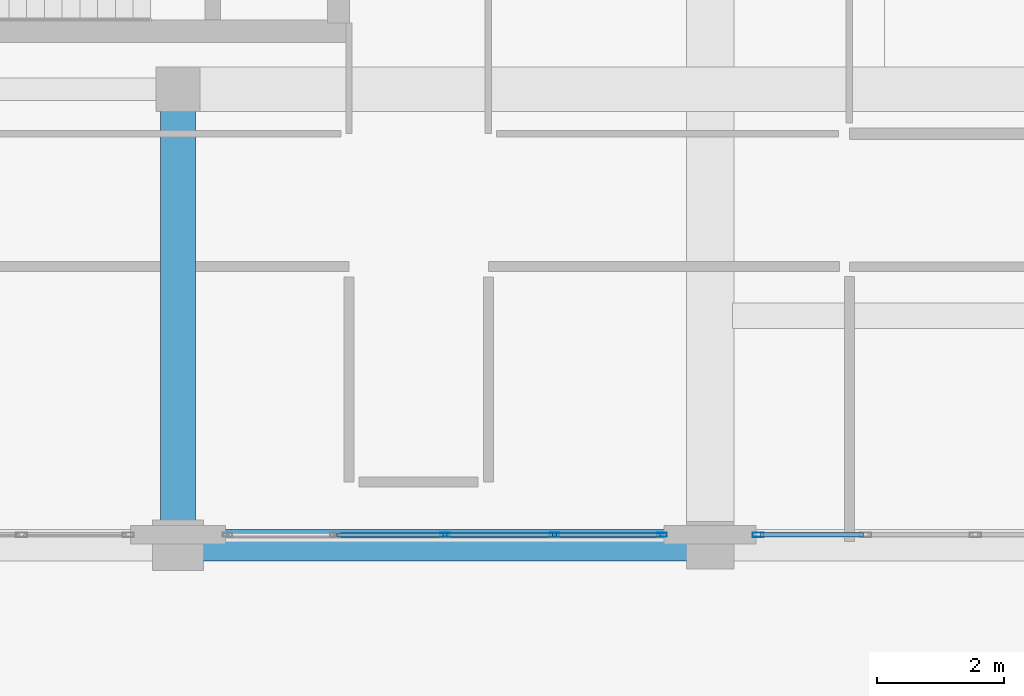
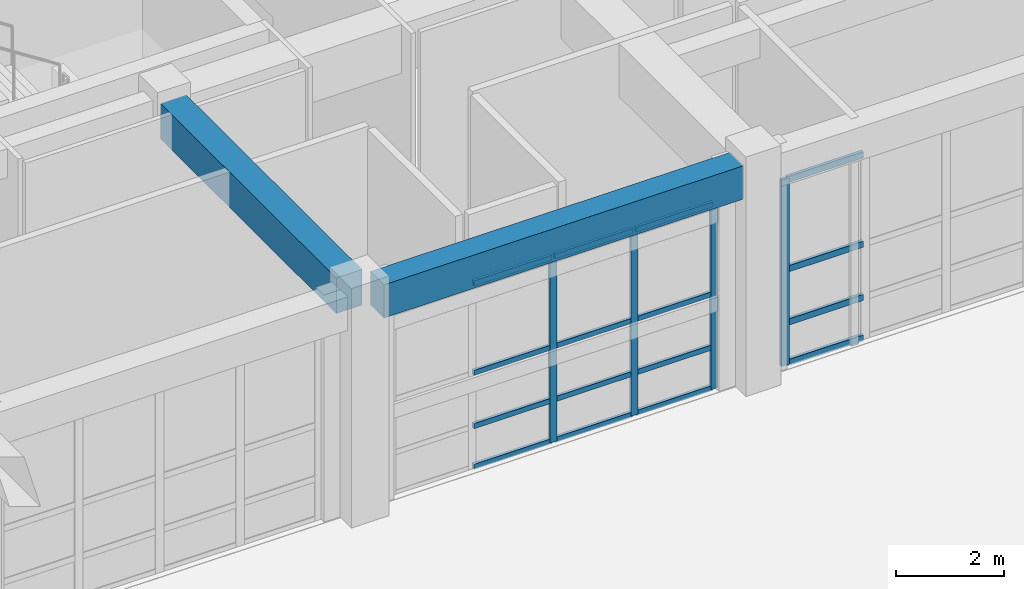
# One storey, part 81 of 148: 20 members, 2 beams, 2 elements without a shape of their own.
"""IFC4 building model written with IfcOpenShell, lengths in metres."""

from ifc_helpers import new_model, si_unit, direction, frame, origin, origin_2d, place, context, subcontext, project, spatial, rectangle, hollow_rectangle, extrude, material, layer, layer_set, material_profile, profile_set, type_object, element, aggregate, save


model = new_model("IFC4")

# Units and contexts
model_context = context("Model", 3, precision=1e-05, world=origin(), true_north=direction((0.0, 1.0)))
body_context = subcontext(model_context, "Body", "Model", "MODEL_VIEW")
ifc_project = project(units=[si_unit("LENGTHUNIT", "METRE"), si_unit("AREAUNIT", "SQUARE_METRE"), si_unit("VOLUMEUNIT", "CUBIC_METRE"), si_unit("PLANEANGLEUNIT", "RADIAN"), si_unit("MASSUNIT", "GRAM", prefix="KILO")], contexts=[model_context])

# Site, building, storey
site_placement = place(None, origin())
site = spatial("IfcSite", under=ifc_project, at=site_placement, CompositionType="ELEMENT")
building_placement = place(site_placement, origin())
building = spatial("IfcBuilding", under=site, at=building_placement, Name="Quendrovan Civic Courthouse", CompositionType="ELEMENT")
storey_placement = place(building_placement, origin())
storey = spatial("IfcBuildingStorey", under=building, at=storey_placement, Name="L01", CompositionType="ELEMENT", Elevation=0.0)

# Beams
ifc_material_1 = material(Name="Concrete C40/50", Category="concrete")
ifc_material_profile_1 = material_profile(ifc_material_1, rectangle(XDim=0.5, YDim=0.75, at=origin_2d()), Name="RC-BM-500x750")
ifc_profile_set_1 = profile_set([ifc_material_profile_1], Name="Concrete C40/50")
beam_type_1 = type_object("IfcBeamType", Name="BM-RC750", PredefinedType="SPANDREL", material=ifc_profile_set_1)
beam_1_placement = place(storey_placement, frame((117.97998046875, 87.60009765625, 4.7451171875), z_axis=(1.0, 0.0, 0.0), x_axis=(0.0, 1.0, 0.0)))
element("IfcBeam", 1, at=beam_1_placement, inside=storey, type_object=beam_type_1, Name="L01 Girder X0326", PredefinedType="SPANDREL", context=body_context, shape_type="SweptSolid", body=[
    extrude(rectangle(XDim=0.5, YDim=0.75, at=origin_2d()), origin(), (0.0, 0.0, 1.0), 7.6650390625),
])
ifc_material_profile_2 = material_profile(ifc_material_1, rectangle(XDim=0.550048828125, YDim=0.800048828125, at=origin_2d()), Name="RC-BM-550x800")
ifc_profile_set_2 = profile_set([ifc_material_profile_2], Name="Concrete C40/50")
beam_type_2 = type_object("IfcBeamType", Name="BM-RC800", PredefinedType="BEAM", material=ifc_profile_set_2)
beam_2_placement = place(storey_placement, frame((117.60009765625, 87.97998046875, 4.719970703125), z_axis=(0.0, 1.0, 0.0), x_axis=(-1.0, 0.0, 0.0)))
element("IfcBeam", 2, at=beam_2_placement, inside=storey, type_object=beam_type_2, Name="L01 Girder Y0464", PredefinedType="BEAM", context=body_context, shape_type="SweptSolid", body=[
    extrude(rectangle(XDim=0.550048828125, YDim=0.800048828125, at=origin_2d()), origin(), (0.0, 0.0, 1.0), 6.489990234375),
])

# Curtain wall, member
ifc_material_2 = material(Name="Bronze anodised aluminium and low-E glass", Category="aluminium")
ifc_layer = layer(ifc_material_2, 0.179931640625, Name="Bronze anodised aluminium and low-E glass")
ifc_layer_set = layer_set([ifc_layer], Name="Bronze anodised aluminium and low-E glass")
curtain_wall_type = type_object("IfcCurtainWallType", Name="CW-U69x42", PredefinedType="USERDEFINED", material=ifc_layer_set)
curtain_wall_1_placement = place(storey_placement, origin())
curtain_wall_1 = element("IfcCurtainWall", 3, at=curtain_wall_1_placement, inside=storey, type_object=curtain_wall_type, Name="L01 Unitised Hurricane Curtain Wall CW-046", ObjectType="UNITISED CURTAIN WALL", PredefinedType="USERDEFINED")
ifc_material_3 = material(Name="Bronze anodised aluminium", Category="aluminium")
ifc_material_profile_3 = material_profile(ifc_material_3, hollow_rectangle(XDim=0.070068359375, YDim=0.179931640625, WallThickness=0.00390625, at=origin_2d()), Name="CW-MULL-70x180")
ifc_profile_set_3 = profile_set([ifc_material_profile_3], Name="Bronze anodised aluminium")
member_type_1 = type_object("IfcMemberType", Name="CW-MULL-A", PredefinedType="MULLION", material=ifc_profile_set_3)
member_1_placement = place(storey_placement, frame((126.760009765625, 87.764892578125, 0.0), z_axis=(0.0, 0.0, 1.0), x_axis=(0.0, -1.0, 0.0)))
member_1 = element("IfcMember", 4, at=member_1_placement, type_object=member_type_1, Name="CW-046 mullion 5", PredefinedType="MULLION", context=body_context, shape_type="SweptSolid", body=[
    extrude(hollow_rectangle(XDim=0.070068359375, YDim=0.179931640625, WallThickness=0.00390625, at=origin_2d()), origin(), (0.0, 0.0, 1.0), 4.199951171875),
])

# Curtain wall, members
curtain_wall_2_placement = place(storey_placement, origin())
curtain_wall_2 = element("IfcCurtainWall", 5, at=curtain_wall_2_placement, inside=storey, type_object=curtain_wall_type, Name="L01 Unitised Hurricane Curtain Wall CW-047", ObjectType="UNITISED CURTAIN WALL", PredefinedType="USERDEFINED")
ifc_material_profile_4 = material_profile(ifc_material_3, hollow_rectangle(XDim=0.06494140625, YDim=0.14990234375, WallThickness=0.00390625, at=origin_2d()), Name="CW-MULL-65x150")
ifc_profile_set_4 = profile_set([ifc_material_profile_4], Name="Bronze anodised aluminium")
member_type_2 = type_object("IfcMemberType", Name="CW-MULL-B", PredefinedType="MULLION", material=ifc_profile_set_4)
member_2_placement = place(storey_placement, frame((125.242431640625, 87.764892578125, 0.0), z_axis=(0.0, 0.0, 1.0), x_axis=(0.0, -1.0, 0.0)))
member_2 = element("IfcMember", 6, at=member_2_placement, type_object=member_type_2, Name="CW-047 mullion 1", PredefinedType="MULLION", context=body_context, shape_type="SweptSolid", body=[
    extrude(hollow_rectangle(XDim=0.06494140625, YDim=0.14990234375, WallThickness=0.00390625, at=origin_2d()), origin(), (0.0, 0.0, 1.0), 4.199951171875),
])
member_3_placement = place(storey_placement, frame((123.543701171875, 87.764892578125, 0.0), z_axis=(0.0, 0.0, 1.0), x_axis=(0.0, -1.0, 0.0)))
member_3 = element("IfcMember", 7, at=member_3_placement, type_object=member_type_2, Name="CW-047 mullion 2", PredefinedType="MULLION", context=body_context, shape_type="SweptSolid", body=[
    extrude(hollow_rectangle(XDim=0.06494140625, YDim=0.14990234375, WallThickness=0.00390625, at=origin_2d()), origin(), (0.0, 0.0, 1.0), 4.199951171875),
])
member_4_placement = place(storey_placement, frame((121.8125, 87.764892578125, 0.0), z_axis=(0.0, 0.0, 1.0), x_axis=(0.0, -1.0, 0.0)))
member_4 = element("IfcMember", 8, at=member_4_placement, type_object=member_type_2, Name="CW-047 mullion 3", PredefinedType="MULLION", context=body_context, shape_type="SweptSolid", body=[
    extrude(hollow_rectangle(XDim=0.06494140625, YDim=0.14990234375, WallThickness=0.00390625, at=origin_2d()), origin(), (0.0, 0.0, 1.0), 4.199951171875),
])

# Member
ifc_material_profile_5 = material_profile(ifc_material_3, hollow_rectangle(XDim=0.070068359375, YDim=0.139892578125, WallThickness=0.00390625, at=origin_2d()), Name="CW-TRAN-70x140")
ifc_profile_set_5 = profile_set([ifc_material_profile_5], Name="Bronze anodised aluminium")
member_type_3 = type_object("IfcMemberType", Name="CW-TRAN-A", PredefinedType="USERDEFINED", material=ifc_profile_set_5)
member_5_placement = place(storey_placement, frame((128.421142578125, 87.764892578125, 0.034912109375), z_axis=(-1.0, 0.0, 0.0), x_axis=(0.0, -1.0, 0.0)))
member_5 = element("IfcMember", 9, at=member_5_placement, type_object=member_type_3, Name="CW-046 transom 4.1", ObjectType="TRANSOM", PredefinedType="USERDEFINED", context=body_context, shape_type="SweptSolid", body=[
    extrude(hollow_rectangle(XDim=0.070068359375, YDim=0.139892578125, WallThickness=0.00390625, at=origin_2d()), origin(), (0.0, 0.0, 1.0), 1.626220703125),
])

member_6_placement = place(storey_placement, frame((128.421142578125, 87.764892578125, 0.949951171875), z_axis=(-1.0, 0.0, 0.0), x_axis=(0.0, -1.0, 0.0)))
member_6 = element("IfcMember", 10, at=member_6_placement, type_object=member_type_3, Name="CW-046 transom 4.2", ObjectType="TRANSOM", PredefinedType="USERDEFINED", context=body_context, shape_type="SweptSolid", body=[
    extrude(hollow_rectangle(XDim=0.070068359375, YDim=0.139892578125, WallThickness=0.00390625, at=origin_2d()), origin(), (0.0, 0.0, 1.0), 1.626220703125),
])

member_7_placement = place(storey_placement, frame((128.421142578125, 87.764892578125, 2.14990234375), z_axis=(-1.0, 0.0, 0.0), x_axis=(0.0, -1.0, 0.0)))
member_7 = element("IfcMember", 11, at=member_7_placement, type_object=member_type_3, Name="CW-046 transom 4.3", ObjectType="TRANSOM", PredefinedType="USERDEFINED", context=body_context, shape_type="SweptSolid", body=[
    extrude(hollow_rectangle(XDim=0.070068359375, YDim=0.139892578125, WallThickness=0.00390625, at=origin_2d()), origin(), (0.0, 0.0, 1.0), 1.626220703125),
])

member_8_placement = place(storey_placement, frame((128.421142578125, 87.764892578125, 4.1650390625), z_axis=(-1.0, 0.0, 0.0), x_axis=(0.0, -1.0, 0.0)))
member_8 = element("IfcMember", 12, at=member_8_placement, type_object=member_type_3, Name="CW-046 transom 4.4", ObjectType="TRANSOM", PredefinedType="USERDEFINED", context=body_context, shape_type="SweptSolid", body=[
    extrude(hollow_rectangle(XDim=0.070068359375, YDim=0.139892578125, WallThickness=0.00390625, at=origin_2d()), origin(), (0.0, 0.0, 1.0), 1.626220703125),
])

aggregate(curtain_wall_1, [member_1, member_5, member_6, member_7, member_8])

ifc_material_profile_6 = material_profile(ifc_material_3, hollow_rectangle(XDim=0.06494140625, YDim=0.114990234375, WallThickness=0.00390625, at=origin_2d()), Name="CW-TRAN-65x115")
ifc_profile_set_6 = profile_set([ifc_material_profile_6], Name="Bronze anodised aluminium")
member_type_4 = type_object("IfcMemberType", Name="CW-TRAN-B", PredefinedType="USERDEFINED", material=ifc_profile_set_6)
member_9_placement = place(storey_placement, frame((125.2099609375, 87.764892578125, 0.032470703125), z_axis=(-1.0, 0.0, 0.0), x_axis=(0.0, -1.0, 0.0)))
member_9 = element("IfcMember", 13, at=member_9_placement, type_object=member_type_4, Name="CW-047 transom 1.1", ObjectType="TRANSOM", PredefinedType="USERDEFINED", context=body_context, shape_type="SweptSolid", body=[
    extrude(hollow_rectangle(XDim=0.06494140625, YDim=0.114990234375, WallThickness=0.00390625, at=origin_2d()), origin(), (0.0, 0.0, 1.0), 1.6337890625),
])

member_10_placement = place(storey_placement, frame((125.2099609375, 87.764892578125, 0.949951171875), z_axis=(-1.0, 0.0, 0.0), x_axis=(0.0, -1.0, 0.0)))
member_10 = element("IfcMember", 14, at=member_10_placement, type_object=member_type_4, Name="CW-047 transom 1.2", ObjectType="TRANSOM", PredefinedType="USERDEFINED", context=body_context, shape_type="SweptSolid", body=[
    extrude(hollow_rectangle(XDim=0.06494140625, YDim=0.114990234375, WallThickness=0.00390625, at=origin_2d()), origin(), (0.0, 0.0, 1.0), 1.6337890625),
])

member_11_placement = place(storey_placement, frame((125.2099609375, 87.764892578125, 2.14990234375), z_axis=(-1.0, 0.0, 0.0), x_axis=(0.0, -1.0, 0.0)))
member_11 = element("IfcMember", 15, at=member_11_placement, type_object=member_type_4, Name="CW-047 transom 1.3", ObjectType="TRANSOM", PredefinedType="USERDEFINED", context=body_context, shape_type="SweptSolid", body=[
    extrude(hollow_rectangle(XDim=0.06494140625, YDim=0.114990234375, WallThickness=0.00390625, at=origin_2d()), origin(), (0.0, 0.0, 1.0), 1.6337890625),
])

member_12_placement = place(storey_placement, frame((125.2099609375, 87.764892578125, 4.16748046875), z_axis=(-1.0, 0.0, 0.0), x_axis=(0.0, -1.0, 0.0)))
member_12 = element("IfcMember", 16, at=member_12_placement, type_object=member_type_4, Name="CW-047 transom 1.4", ObjectType="TRANSOM", PredefinedType="USERDEFINED", context=body_context, shape_type="SweptSolid", body=[
    extrude(hollow_rectangle(XDim=0.06494140625, YDim=0.114990234375, WallThickness=0.00390625, at=origin_2d()), origin(), (0.0, 0.0, 1.0), 1.6337890625),
])

member_13_placement = place(storey_placement, frame((123.51123046875, 87.764892578125, 0.032470703125), z_axis=(-1.0, 0.0, 0.0), x_axis=(0.0, -1.0, 0.0)))
member_13 = element("IfcMember", 17, at=member_13_placement, type_object=member_type_4, Name="CW-047 transom 2.1", ObjectType="TRANSOM", PredefinedType="USERDEFINED", context=body_context, shape_type="SweptSolid", body=[
    extrude(hollow_rectangle(XDim=0.06494140625, YDim=0.114990234375, WallThickness=0.00390625, at=origin_2d()), origin(), (0.0, 0.0, 1.0), 1.666259765625),
])

member_14_placement = place(storey_placement, frame((123.51123046875, 87.764892578125, 0.949951171875), z_axis=(-1.0, 0.0, 0.0), x_axis=(0.0, -1.0, 0.0)))
member_14 = element("IfcMember", 18, at=member_14_placement, type_object=member_type_4, Name="CW-047 transom 2.2", ObjectType="TRANSOM", PredefinedType="USERDEFINED", context=body_context, shape_type="SweptSolid", body=[
    extrude(hollow_rectangle(XDim=0.06494140625, YDim=0.114990234375, WallThickness=0.00390625, at=origin_2d()), origin(), (0.0, 0.0, 1.0), 1.666259765625),
])

member_15_placement = place(storey_placement, frame((123.51123046875, 87.764892578125, 2.14990234375), z_axis=(-1.0, 0.0, 0.0), x_axis=(0.0, -1.0, 0.0)))
member_15 = element("IfcMember", 19, at=member_15_placement, type_object=member_type_4, Name="CW-047 transom 2.3", ObjectType="TRANSOM", PredefinedType="USERDEFINED", context=body_context, shape_type="SweptSolid", body=[
    extrude(hollow_rectangle(XDim=0.06494140625, YDim=0.114990234375, WallThickness=0.00390625, at=origin_2d()), origin(), (0.0, 0.0, 1.0), 1.666259765625),
])

member_16_placement = place(storey_placement, frame((123.51123046875, 87.764892578125, 4.16748046875), z_axis=(-1.0, 0.0, 0.0), x_axis=(0.0, -1.0, 0.0)))
member_16 = element("IfcMember", 20, at=member_16_placement, type_object=member_type_4, Name="CW-047 transom 2.4", ObjectType="TRANSOM", PredefinedType="USERDEFINED", context=body_context, shape_type="SweptSolid", body=[
    extrude(hollow_rectangle(XDim=0.06494140625, YDim=0.114990234375, WallThickness=0.00390625, at=origin_2d()), origin(), (0.0, 0.0, 1.0), 1.666259765625),
])

member_17_placement = place(storey_placement, frame((121.780029296875, 87.764892578125, 0.032470703125), z_axis=(-1.0, 0.0, 0.0), x_axis=(0.0, -1.0, 0.0)))
member_17 = element("IfcMember", 21, at=member_17_placement, type_object=member_type_4, Name="CW-047 transom 3.1", ObjectType="TRANSOM", PredefinedType="USERDEFINED", context=body_context, shape_type="SweptSolid", body=[
    extrude(hollow_rectangle(XDim=0.06494140625, YDim=0.114990234375, WallThickness=0.00390625, at=origin_2d()), origin(), (0.0, 0.0, 1.0), 1.666259765625),
])

member_18_placement = place(storey_placement, frame((121.780029296875, 87.764892578125, 0.949951171875), z_axis=(-1.0, 0.0, 0.0), x_axis=(0.0, -1.0, 0.0)))
member_18 = element("IfcMember", 22, at=member_18_placement, type_object=member_type_4, Name="CW-047 transom 3.2", ObjectType="TRANSOM", PredefinedType="USERDEFINED", context=body_context, shape_type="SweptSolid", body=[
    extrude(hollow_rectangle(XDim=0.06494140625, YDim=0.114990234375, WallThickness=0.00390625, at=origin_2d()), origin(), (0.0, 0.0, 1.0), 1.666259765625),
])

member_19_placement = place(storey_placement, frame((121.780029296875, 87.764892578125, 2.14990234375), z_axis=(-1.0, 0.0, 0.0), x_axis=(0.0, -1.0, 0.0)))
member_19 = element("IfcMember", 23, at=member_19_placement, type_object=member_type_4, Name="CW-047 transom 3.3", ObjectType="TRANSOM", PredefinedType="USERDEFINED", context=body_context, shape_type="SweptSolid", body=[
    extrude(hollow_rectangle(XDim=0.06494140625, YDim=0.114990234375, WallThickness=0.00390625, at=origin_2d()), origin(), (0.0, 0.0, 1.0), 1.666259765625),
])

member_20_placement = place(storey_placement, frame((121.780029296875, 87.764892578125, 4.16748046875), z_axis=(-1.0, 0.0, 0.0), x_axis=(0.0, -1.0, 0.0)))
member_20 = element("IfcMember", 24, at=member_20_placement, type_object=member_type_4, Name="CW-047 transom 3.4", ObjectType="TRANSOM", PredefinedType="USERDEFINED", context=body_context, shape_type="SweptSolid", body=[
    extrude(hollow_rectangle(XDim=0.06494140625, YDim=0.114990234375, WallThickness=0.00390625, at=origin_2d()), origin(), (0.0, 0.0, 1.0), 1.666259765625),
])

aggregate(curtain_wall_2, [member_2, member_3, member_4, member_9, member_10, member_11, member_12, member_13, member_14, member_15, member_16, member_17, member_18, member_19, member_20])

save(model, "model.ifc")
